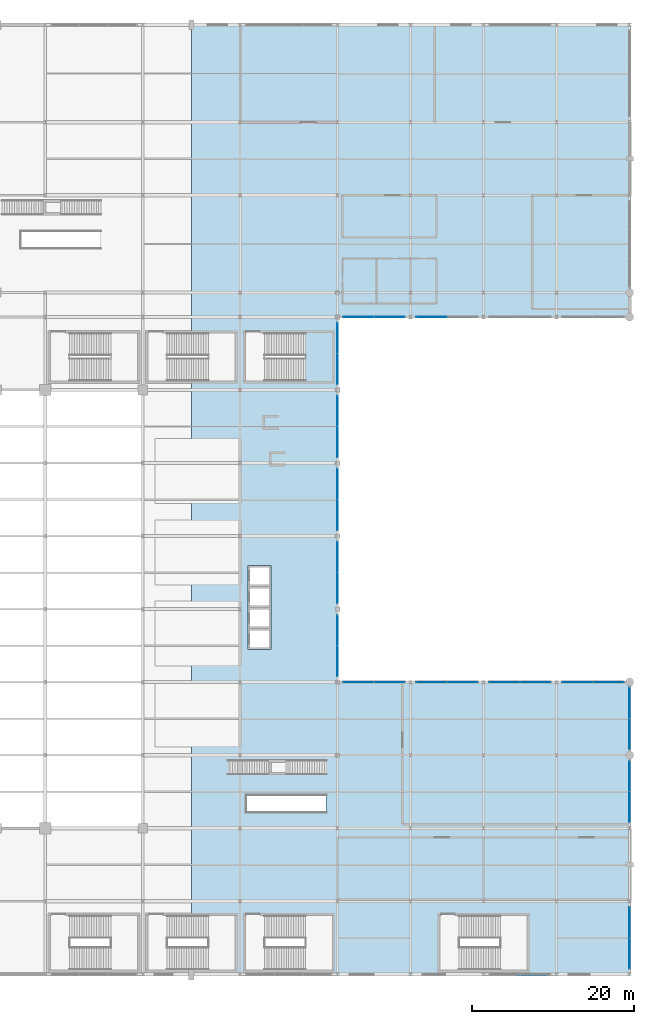
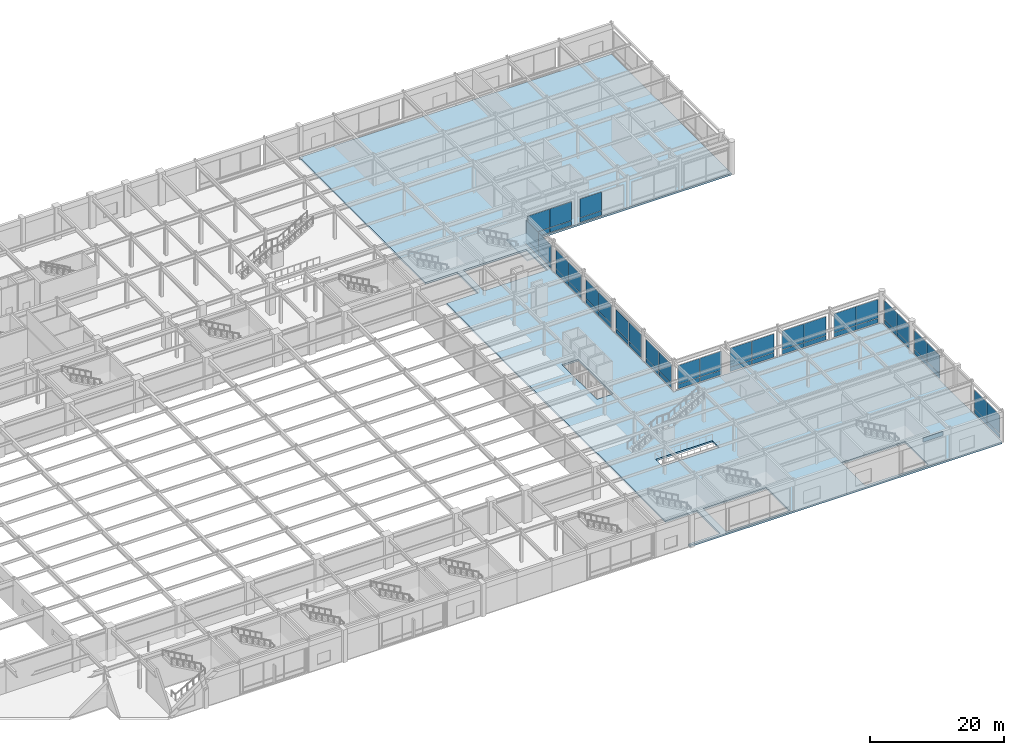
# One storey, part 81 of 105: 55 plates, 2 slabs, 15 elements without a shape of their own.
"""IFC4 building model written with IfcOpenShell, lengths in metres."""

from ifc_helpers import new_model, si_unit, direction, frame, origin, origin_2d, place, context, subcontext, project, spatial, polyline, rectangle, outline, extrude, material, layer, layer_set, type_object, element, aggregate, save


model = new_model("IFC4")

# Units and contexts
model_context = context("Model", 3, precision=1e-05, world=origin(), true_north=direction((0.0, 1.0)))
body_context = subcontext(model_context, "Body", "Model", "MODEL_VIEW")
ifc_project = project(units=[si_unit("LENGTHUNIT", "METRE"), si_unit("AREAUNIT", "SQUARE_METRE"), si_unit("VOLUMEUNIT", "CUBIC_METRE"), si_unit("PLANEANGLEUNIT", "RADIAN"), si_unit("MASSUNIT", "GRAM", prefix="KILO")], contexts=[model_context])

# Site, building, storey
site_placement = place(None, origin())
site = spatial("IfcSite", under=ifc_project, at=site_placement, CompositionType="ELEMENT")
building_placement = place(site_placement, origin())
building = spatial("IfcBuilding", under=site, at=building_placement, Name="Kaldorvane Square Convention Centre", CompositionType="ELEMENT")
storey_placement = place(building_placement, frame((0.0, 0.0, 6.0)))
storey = spatial("IfcBuildingStorey", under=building, at=storey_placement, Name="L01", CompositionType="ELEMENT", Elevation=6.0)

# Curtain wall, plates
ifc_material_1 = material(Name="Anodized Aluminum and Low-E Insulated Glazing", Category="aluminium")
curtain_wall_type_1 = type_object("IfcCurtainWallType", Name="CW-UNI-P60-09", PredefinedType="USERDEFINED", material=ifc_material_1)
curtain_wall_1_placement = place(storey_placement, origin())
curtain_wall_1 = element("IfcCurtainWall", 1, at=curtain_wall_1_placement, inside=storey, type_object=curtain_wall_type_1, Name="Curtain Wall CW-02 (L01)", ObjectType="UNITISED GLAZING", PredefinedType="USERDEFINED")
ifc_layer_1 = layer(ifc_material_1, 0.029998779296875)
ifc_layer_set_1 = layer_set([ifc_layer_1], Name="Anodized Aluminum and Low-E Insulated Glazing")
plate_type_1 = type_object("IfcPlateType", Name="CW-PNL-05", PredefinedType="CURTAIN_PANEL", material=ifc_layer_set_1)
plate_1_placement = place(storey_placement, frame((174.0, 2.59124755859375, 0.2100067138671875), z_axis=(0.0, 0.0, 1.0), x_axis=(0.0, 1.0, 0.0)))
plate_1 = element("IfcPlate", 2, at=plate_1_placement, type_object=plate_type_1, Name="CW-02 panel 1.1", PredefinedType="CURTAIN_PANEL", context=body_context, shape_type="SweptSolid", body=[
    extrude(rectangle(XDim=3.75250244140625, YDim=0.029998779296875, at=origin_2d()), origin(), (0.0, 0.0, 1.0), 0.80999755859375),
])
plate_2_placement = place(storey_placement, frame((174.0, 2.59124755859375, 1.079986572265625), z_axis=(0.0, 0.0, 1.0), x_axis=(0.0, 1.0, 0.0)))
plate_2 = element("IfcPlate", 3, at=plate_2_placement, type_object=plate_type_1, Name="CW-02 panel 1.2", PredefinedType="CURTAIN_PANEL", context=body_context, shape_type="SweptSolid", body=[
    extrude(rectangle(XDim=3.75250244140625, YDim=0.029998779296875, at=origin_2d()), origin(), (0.0, 0.0, 1.0), 3.4199981689453125),
])
plate_3_placement = place(storey_placement, frame((174.0, 6.40875244140625, 0.2100067138671875), z_axis=(0.0, 0.0, 1.0), x_axis=(0.0, 1.0, 0.0)))
plate_3 = element("IfcPlate", 4, at=plate_3_placement, type_object=plate_type_1, Name="CW-02 panel 2.1", PredefinedType="CURTAIN_PANEL", context=body_context, shape_type="SweptSolid", body=[
    extrude(rectangle(XDim=3.75250244140625, YDim=0.029998779296875, at=origin_2d()), origin(), (0.0, 0.0, 1.0), 0.80999755859375),
])
plate_4_placement = place(storey_placement, frame((174.0, 6.40875244140625, 1.079986572265625), z_axis=(0.0, 0.0, 1.0), x_axis=(0.0, 1.0, 0.0)))
plate_4 = element("IfcPlate", 5, at=plate_4_placement, type_object=plate_type_1, Name="CW-02 panel 2.2", PredefinedType="CURTAIN_PANEL", context=body_context, shape_type="SweptSolid", body=[
    extrude(rectangle(XDim=3.75250244140625, YDim=0.029998779296875, at=origin_2d()), origin(), (0.0, 0.0, 1.0), 3.4199981689453125),
])
aggregate(curtain_wall_1, [plate_1, plate_2, plate_3, plate_4])

curtain_wall_2_placement = place(storey_placement, origin())
curtain_wall_2 = element("IfcCurtainWall", 6, at=curtain_wall_2_placement, inside=storey, type_object=curtain_wall_type_1, Name="Curtain Wall CW-02 (L01)", ObjectType="UNITISED GLAZING", PredefinedType="USERDEFINED")
plate_5_placement = place(storey_placement, frame((174.0, 20.59124755859375, 0.2100067138671875), z_axis=(0.0, 0.0, 1.0), x_axis=(0.0, 1.0, 0.0)))
plate_5 = element("IfcPlate", 7, at=plate_5_placement, type_object=plate_type_1, Name="CW-02 panel 1.1", PredefinedType="CURTAIN_PANEL", context=body_context, shape_type="SweptSolid", body=[
    extrude(rectangle(XDim=3.75250244140625, YDim=0.029998779296875, at=origin_2d()), origin(), (0.0, 0.0, 1.0), 0.80999755859375),
])
plate_6_placement = place(storey_placement, frame((174.0, 20.59124755859375, 1.079986572265625), z_axis=(0.0, 0.0, 1.0), x_axis=(0.0, 1.0, 0.0)))
plate_6 = element("IfcPlate", 8, at=plate_6_placement, type_object=plate_type_1, Name="CW-02 panel 1.2", PredefinedType="CURTAIN_PANEL", context=body_context, shape_type="SweptSolid", body=[
    extrude(rectangle(XDim=3.75250244140625, YDim=0.029998779296875, at=origin_2d()), origin(), (0.0, 0.0, 1.0), 3.4199981689453125),
])
plate_7_placement = place(storey_placement, frame((174.0, 24.40875244140625, 0.2100067138671875), z_axis=(0.0, 0.0, 1.0), x_axis=(0.0, 1.0, 0.0)))
plate_7 = element("IfcPlate", 9, at=plate_7_placement, type_object=plate_type_1, Name="CW-02 panel 2.1", PredefinedType="CURTAIN_PANEL", context=body_context, shape_type="SweptSolid", body=[
    extrude(rectangle(XDim=3.75250244140625, YDim=0.029998779296875, at=origin_2d()), origin(), (0.0, 0.0, 1.0), 0.80999755859375),
])
plate_8_placement = place(storey_placement, frame((174.0, 24.40875244140625, 1.079986572265625), z_axis=(0.0, 0.0, 1.0), x_axis=(0.0, 1.0, 0.0)))
plate_8 = element("IfcPlate", 10, at=plate_8_placement, type_object=plate_type_1, Name="CW-02 panel 2.2", PredefinedType="CURTAIN_PANEL", context=body_context, shape_type="SweptSolid", body=[
    extrude(rectangle(XDim=3.75250244140625, YDim=0.029998779296875, at=origin_2d()), origin(), (0.0, 0.0, 1.0), 3.4199981689453125),
])
aggregate(curtain_wall_2, [plate_5, plate_6, plate_7, plate_8])

curtain_wall_3_placement = place(storey_placement, origin())
curtain_wall_3 = element("IfcCurtainWall", 11, at=curtain_wall_3_placement, inside=storey, type_object=curtain_wall_type_1, Name="Curtain Wall CW-02 (L01)", ObjectType="UNITISED GLAZING", PredefinedType="USERDEFINED")
plate_9_placement = place(storey_placement, frame((174.0, 29.59124755859375, 0.2100067138671875), z_axis=(0.0, 0.0, 1.0), x_axis=(0.0, 1.0, 0.0)))
plate_9 = element("IfcPlate", 12, at=plate_9_placement, type_object=plate_type_1, Name="CW-02 panel 1.1", PredefinedType="CURTAIN_PANEL", context=body_context, shape_type="SweptSolid", body=[
    extrude(rectangle(XDim=3.75250244140625, YDim=0.029998779296875, at=origin_2d()), origin(), (0.0, 0.0, 1.0), 0.80999755859375),
])
plate_10_placement = place(storey_placement, frame((174.0, 29.59124755859375, 1.079986572265625), z_axis=(0.0, 0.0, 1.0), x_axis=(0.0, 1.0, 0.0)))
plate_10 = element("IfcPlate", 13, at=plate_10_placement, type_object=plate_type_1, Name="CW-02 panel 1.2", PredefinedType="CURTAIN_PANEL", context=body_context, shape_type="SweptSolid", body=[
    extrude(rectangle(XDim=3.75250244140625, YDim=0.029998779296875, at=origin_2d()), origin(), (0.0, 0.0, 1.0), 3.4199981689453125),
])
plate_11_placement = place(storey_placement, frame((174.0, 33.40875244140625, 0.2100067138671875), z_axis=(0.0, 0.0, 1.0), x_axis=(0.0, 1.0, 0.0)))
plate_11 = element("IfcPlate", 14, at=plate_11_placement, type_object=plate_type_1, Name="CW-02 panel 2.1", PredefinedType="CURTAIN_PANEL", context=body_context, shape_type="SweptSolid", body=[
    extrude(rectangle(XDim=3.75250244140625, YDim=0.029998779296875, at=origin_2d()), origin(), (0.0, 0.0, 1.0), 0.80999755859375),
])
plate_12_placement = place(storey_placement, frame((174.0, 33.40875244140625, 1.079986572265625), z_axis=(0.0, 0.0, 1.0), x_axis=(0.0, 1.0, 0.0)))
plate_12 = element("IfcPlate", 15, at=plate_12_placement, type_object=plate_type_1, Name="CW-02 panel 2.2", PredefinedType="CURTAIN_PANEL", context=body_context, shape_type="SweptSolid", body=[
    extrude(rectangle(XDim=3.75250244140625, YDim=0.029998779296875, at=origin_2d()), origin(), (0.0, 0.0, 1.0), 3.4199981689453125),
])
aggregate(curtain_wall_3, [plate_9, plate_10, plate_11, plate_12])

curtain_wall_type_2 = type_object("IfcCurtainWallType", Name="CW-PTS-FC-60", PredefinedType="USERDEFINED", material=ifc_material_1)
curtain_wall_4_placement = place(storey_placement, origin())
curtain_wall_4 = element("IfcCurtainWall", 16, at=curtain_wall_4_placement, inside=storey, type_object=curtain_wall_type_2, Name="Curtain Wall CW-07 (L01)", ObjectType="POINT SUPPORTED GLAZING", PredefinedType="USERDEFINED")
ifc_layer_2 = layer(ifc_material_1, 0.0399932861328125)
ifc_layer_set_2 = layer_set([ifc_layer_2], Name="Anodized Aluminum and Low-E Insulated Glazing")
plate_type_2 = type_object("IfcPlateType", Name="CW-PNL-07", PredefinedType="CURTAIN_PANEL", material=ifc_layer_set_2)
plate_13_placement = place(storey_placement, frame((144.40625, 36.0, 0.214996337890625), z_axis=(0.0, 0.0, 1.0), x_axis=(-1.0, 0.0, 0.0)))
plate_13 = element("IfcPlate", 17, at=plate_13_placement, type_object=plate_type_2, Name="CW-07 panel 1.1", PredefinedType="CURTAIN_PANEL", context=body_context, shape_type="SweptSolid", body=[
    extrude(rectangle(XDim=3.7375030517578125, YDim=0.0399932861328125, at=origin_2d()), origin(), (0.0, 0.0, 1.0), 0.8025054931640625),
])
plate_14_placement = place(storey_placement, frame((144.40625, 36.0, 1.0825042724609375), z_axis=(0.0, 0.0, 1.0), x_axis=(-1.0, 0.0, 0.0)))
plate_14 = element("IfcPlate", 18, at=plate_14_placement, type_object=plate_type_2, Name="CW-07 panel 1.2", PredefinedType="CURTAIN_PANEL", context=body_context, shape_type="SweptSolid", body=[
    extrude(rectangle(XDim=3.7375030517578125, YDim=0.0399932861328125, at=origin_2d()), origin(), (0.0, 0.0, 1.0), 3.412506103515625),
])
plate_15_placement = place(storey_placement, frame((140.59375, 36.0, 0.214996337890625), z_axis=(0.0, 0.0, 1.0), x_axis=(-1.0, 0.0, 0.0)))
plate_15 = element("IfcPlate", 19, at=plate_15_placement, type_object=plate_type_2, Name="CW-07 panel 2.1", PredefinedType="CURTAIN_PANEL", context=body_context, shape_type="SweptSolid", body=[
    extrude(rectangle(XDim=3.7375030517578125, YDim=0.0399932861328125, at=origin_2d()), origin(), (0.0, 0.0, 1.0), 0.8025054931640625),
])
plate_16_placement = place(storey_placement, frame((140.59375, 36.0, 1.0825042724609375), z_axis=(0.0, 0.0, 1.0), x_axis=(-1.0, 0.0, 0.0)))
plate_16 = element("IfcPlate", 20, at=plate_16_placement, type_object=plate_type_2, Name="CW-07 panel 2.2", PredefinedType="CURTAIN_PANEL", context=body_context, shape_type="SweptSolid", body=[
    extrude(rectangle(XDim=3.7375030517578125, YDim=0.0399932861328125, at=origin_2d()), origin(), (0.0, 0.0, 1.0), 3.412506103515625),
])
aggregate(curtain_wall_4, [plate_13, plate_14, plate_15, plate_16])

curtain_wall_5_placement = place(storey_placement, origin())
curtain_wall_5 = element("IfcCurtainWall", 21, at=curtain_wall_5_placement, inside=storey, type_object=curtain_wall_type_2, Name="Curtain Wall CW-07 (L01)", ObjectType="POINT SUPPORTED GLAZING", PredefinedType="USERDEFINED")
plate_17_placement = place(storey_placement, frame((153.40625, 36.0, 0.214996337890625), z_axis=(0.0, 0.0, 1.0), x_axis=(-1.0, 0.0, 0.0)))
plate_17 = element("IfcPlate", 22, at=plate_17_placement, type_object=plate_type_2, Name="CW-07 panel 1.1", PredefinedType="CURTAIN_PANEL", context=body_context, shape_type="SweptSolid", body=[
    extrude(rectangle(XDim=3.7375030517578125, YDim=0.0399932861328125, at=origin_2d()), origin(), (0.0, 0.0, 1.0), 0.8025054931640625),
])
plate_18_placement = place(storey_placement, frame((153.40625, 36.0, 1.0825042724609375), z_axis=(0.0, 0.0, 1.0), x_axis=(-1.0, 0.0, 0.0)))
plate_18 = element("IfcPlate", 23, at=plate_18_placement, type_object=plate_type_2, Name="CW-07 panel 1.2", PredefinedType="CURTAIN_PANEL", context=body_context, shape_type="SweptSolid", body=[
    extrude(rectangle(XDim=3.7375030517578125, YDim=0.0399932861328125, at=origin_2d()), origin(), (0.0, 0.0, 1.0), 3.412506103515625),
])
plate_19_placement = place(storey_placement, frame((149.59375, 36.0, 0.214996337890625), z_axis=(0.0, 0.0, 1.0), x_axis=(-1.0, 0.0, 0.0)))
plate_19 = element("IfcPlate", 24, at=plate_19_placement, type_object=plate_type_2, Name="CW-07 panel 2.1", PredefinedType="CURTAIN_PANEL", context=body_context, shape_type="SweptSolid", body=[
    extrude(rectangle(XDim=3.7375030517578125, YDim=0.0399932861328125, at=origin_2d()), origin(), (0.0, 0.0, 1.0), 0.8025054931640625),
])
plate_20_placement = place(storey_placement, frame((149.59375, 36.0, 1.0825042724609375), z_axis=(0.0, 0.0, 1.0), x_axis=(-1.0, 0.0, 0.0)))
plate_20 = element("IfcPlate", 25, at=plate_20_placement, type_object=plate_type_2, Name="CW-07 panel 2.2", PredefinedType="CURTAIN_PANEL", context=body_context, shape_type="SweptSolid", body=[
    extrude(rectangle(XDim=3.7375030517578125, YDim=0.0399932861328125, at=origin_2d()), origin(), (0.0, 0.0, 1.0), 3.412506103515625),
])
aggregate(curtain_wall_5, [plate_17, plate_18, plate_19, plate_20])

curtain_wall_6_placement = place(storey_placement, origin())
curtain_wall_6 = element("IfcCurtainWall", 26, at=curtain_wall_6_placement, inside=storey, type_object=curtain_wall_type_2, Name="Curtain Wall CW-07 (L01)", ObjectType="POINT SUPPORTED GLAZING", PredefinedType="USERDEFINED")
plate_21_placement = place(storey_placement, frame((162.40625, 36.0, 0.214996337890625), z_axis=(0.0, 0.0, 1.0), x_axis=(-1.0, 0.0, 0.0)))
plate_21 = element("IfcPlate", 27, at=plate_21_placement, type_object=plate_type_2, Name="CW-07 panel 1.1", PredefinedType="CURTAIN_PANEL", context=body_context, shape_type="SweptSolid", body=[
    extrude(rectangle(XDim=3.7375030517578125, YDim=0.0399932861328125, at=origin_2d()), origin(), (0.0, 0.0, 1.0), 0.8025054931640625),
])
plate_22_placement = place(storey_placement, frame((162.40625, 36.0, 1.0825042724609375), z_axis=(0.0, 0.0, 1.0), x_axis=(-1.0, 0.0, 0.0)))
plate_22 = element("IfcPlate", 28, at=plate_22_placement, type_object=plate_type_2, Name="CW-07 panel 1.2", PredefinedType="CURTAIN_PANEL", context=body_context, shape_type="SweptSolid", body=[
    extrude(rectangle(XDim=3.7375030517578125, YDim=0.0399932861328125, at=origin_2d()), origin(), (0.0, 0.0, 1.0), 3.412506103515625),
])
plate_23_placement = place(storey_placement, frame((158.59375, 36.0, 0.214996337890625), z_axis=(0.0, 0.0, 1.0), x_axis=(-1.0, 0.0, 0.0)))
plate_23 = element("IfcPlate", 29, at=plate_23_placement, type_object=plate_type_2, Name="CW-07 panel 2.1", PredefinedType="CURTAIN_PANEL", context=body_context, shape_type="SweptSolid", body=[
    extrude(rectangle(XDim=3.7375030517578125, YDim=0.0399932861328125, at=origin_2d()), origin(), (0.0, 0.0, 1.0), 0.8025054931640625),
])
plate_24_placement = place(storey_placement, frame((158.59375, 36.0, 1.0825042724609375), z_axis=(0.0, 0.0, 1.0), x_axis=(-1.0, 0.0, 0.0)))
plate_24 = element("IfcPlate", 30, at=plate_24_placement, type_object=plate_type_2, Name="CW-07 panel 2.2", PredefinedType="CURTAIN_PANEL", context=body_context, shape_type="SweptSolid", body=[
    extrude(rectangle(XDim=3.7375030517578125, YDim=0.0399932861328125, at=origin_2d()), origin(), (0.0, 0.0, 1.0), 3.412506103515625),
])
aggregate(curtain_wall_6, [plate_21, plate_22, plate_23, plate_24])

curtain_wall_7_placement = place(storey_placement, origin())
curtain_wall_7 = element("IfcCurtainWall", 31, at=curtain_wall_7_placement, inside=storey, type_object=curtain_wall_type_2, Name="Curtain Wall CW-07 (L01)", ObjectType="POINT SUPPORTED GLAZING", PredefinedType="USERDEFINED")
plate_25_placement = place(storey_placement, frame((171.40625, 36.0, 0.214996337890625), z_axis=(0.0, 0.0, 1.0), x_axis=(-1.0, 0.0, 0.0)))
plate_25 = element("IfcPlate", 32, at=plate_25_placement, type_object=plate_type_2, Name="CW-07 panel 1.1", PredefinedType="CURTAIN_PANEL", context=body_context, shape_type="SweptSolid", body=[
    extrude(rectangle(XDim=3.7375030517578125, YDim=0.0399932861328125, at=origin_2d()), origin(), (0.0, 0.0, 1.0), 0.8025054931640625),
])
plate_26_placement = place(storey_placement, frame((171.40625, 36.0, 1.0825042724609375), z_axis=(0.0, 0.0, 1.0), x_axis=(-1.0, 0.0, 0.0)))
plate_26 = element("IfcPlate", 33, at=plate_26_placement, type_object=plate_type_2, Name="CW-07 panel 1.2", PredefinedType="CURTAIN_PANEL", context=body_context, shape_type="SweptSolid", body=[
    extrude(rectangle(XDim=3.7375030517578125, YDim=0.0399932861328125, at=origin_2d()), origin(), (0.0, 0.0, 1.0), 3.412506103515625),
])
plate_27_placement = place(storey_placement, frame((167.59375, 36.0, 0.214996337890625), z_axis=(0.0, 0.0, 1.0), x_axis=(-1.0, 0.0, 0.0)))
plate_27 = element("IfcPlate", 34, at=plate_27_placement, type_object=plate_type_2, Name="CW-07 panel 2.1", PredefinedType="CURTAIN_PANEL", context=body_context, shape_type="SweptSolid", body=[
    extrude(rectangle(XDim=3.7375030517578125, YDim=0.0399932861328125, at=origin_2d()), origin(), (0.0, 0.0, 1.0), 0.8025054931640625),
])
plate_28_placement = place(storey_placement, frame((167.59375, 36.0, 1.0825042724609375), z_axis=(0.0, 0.0, 1.0), x_axis=(-1.0, 0.0, 0.0)))
plate_28 = element("IfcPlate", 35, at=plate_28_placement, type_object=plate_type_2, Name="CW-07 panel 2.2", PredefinedType="CURTAIN_PANEL", context=body_context, shape_type="SweptSolid", body=[
    extrude(rectangle(XDim=3.7375030517578125, YDim=0.0399932861328125, at=origin_2d()), origin(), (0.0, 0.0, 1.0), 3.412506103515625),
])
aggregate(curtain_wall_7, [plate_25, plate_26, plate_27, plate_28])

curtain_wall_8_placement = place(storey_placement, origin())
curtain_wall_8 = element("IfcCurtainWall", 36, at=curtain_wall_8_placement, inside=storey, type_object=curtain_wall_type_2, Name="Curtain Wall CW-07 (L01)", ObjectType="POINT SUPPORTED GLAZING", PredefinedType="USERDEFINED")
plate_29_placement = place(storey_placement, frame((138.0, 38.59375, 0.214996337890625), z_axis=(0.0, 0.0, 1.0), x_axis=(0.0, 1.0, 0.0)))
plate_29 = element("IfcPlate", 37, at=plate_29_placement, type_object=plate_type_2, Name="CW-07 panel 1.1", PredefinedType="CURTAIN_PANEL", context=body_context, shape_type="SweptSolid", body=[
    extrude(rectangle(XDim=3.7375030517578125, YDim=0.0399932861328125, at=origin_2d()), origin(), (0.0, 0.0, 1.0), 0.8025054931640625),
])
plate_30_placement = place(storey_placement, frame((138.0, 38.59375, 1.0825042724609375), z_axis=(0.0, 0.0, 1.0), x_axis=(0.0, 1.0, 0.0)))
plate_30 = element("IfcPlate", 38, at=plate_30_placement, type_object=plate_type_2, Name="CW-07 panel 1.2", PredefinedType="CURTAIN_PANEL", context=body_context, shape_type="SweptSolid", body=[
    extrude(rectangle(XDim=3.7375030517578125, YDim=0.0399932861328125, at=origin_2d()), origin(), (0.0, 0.0, 1.0), 3.412506103515625),
])
plate_31_placement = place(storey_placement, frame((138.0, 42.40625, 0.214996337890625), z_axis=(0.0, 0.0, 1.0), x_axis=(0.0, 1.0, 0.0)))
plate_31 = element("IfcPlate", 39, at=plate_31_placement, type_object=plate_type_2, Name="CW-07 panel 2.1", PredefinedType="CURTAIN_PANEL", context=body_context, shape_type="SweptSolid", body=[
    extrude(rectangle(XDim=3.7375030517578125, YDim=0.0399932861328125, at=origin_2d()), origin(), (0.0, 0.0, 1.0), 0.8025054931640625),
])
plate_32_placement = place(storey_placement, frame((138.0, 42.40625, 1.0825042724609375), z_axis=(0.0, 0.0, 1.0), x_axis=(0.0, 1.0, 0.0)))
plate_32 = element("IfcPlate", 40, at=plate_32_placement, type_object=plate_type_2, Name="CW-07 panel 2.2", PredefinedType="CURTAIN_PANEL", context=body_context, shape_type="SweptSolid", body=[
    extrude(rectangle(XDim=3.7375030517578125, YDim=0.0399932861328125, at=origin_2d()), origin(), (0.0, 0.0, 1.0), 3.412506103515625),
])
aggregate(curtain_wall_8, [plate_29, plate_30, plate_31, plate_32])

curtain_wall_9_placement = place(storey_placement, origin())
curtain_wall_9 = element("IfcCurtainWall", 41, at=curtain_wall_9_placement, inside=storey, type_object=curtain_wall_type_2, Name="Curtain Wall CW-07 (L01)", ObjectType="POINT SUPPORTED GLAZING", PredefinedType="USERDEFINED")
plate_33_placement = place(storey_placement, frame((138.0, 47.59375, 0.214996337890625), z_axis=(0.0, 0.0, 1.0), x_axis=(0.0, 1.0, 0.0)))
plate_33 = element("IfcPlate", 42, at=plate_33_placement, type_object=plate_type_2, Name="CW-07 panel 1.1", PredefinedType="CURTAIN_PANEL", context=body_context, shape_type="SweptSolid", body=[
    extrude(rectangle(XDim=3.7375030517578125, YDim=0.0399932861328125, at=origin_2d()), origin(), (0.0, 0.0, 1.0), 0.8025054931640625),
])
plate_34_placement = place(storey_placement, frame((138.0, 47.59375, 1.0825042724609375), z_axis=(0.0, 0.0, 1.0), x_axis=(0.0, 1.0, 0.0)))
plate_34 = element("IfcPlate", 43, at=plate_34_placement, type_object=plate_type_2, Name="CW-07 panel 1.2", PredefinedType="CURTAIN_PANEL", context=body_context, shape_type="SweptSolid", body=[
    extrude(rectangle(XDim=3.7375030517578125, YDim=0.0399932861328125, at=origin_2d()), origin(), (0.0, 0.0, 1.0), 3.412506103515625),
])
plate_35_placement = place(storey_placement, frame((138.0, 51.40625, 0.214996337890625), z_axis=(0.0, 0.0, 1.0), x_axis=(0.0, 1.0, 0.0)))
plate_35 = element("IfcPlate", 44, at=plate_35_placement, type_object=plate_type_2, Name="CW-07 panel 2.1", PredefinedType="CURTAIN_PANEL", context=body_context, shape_type="SweptSolid", body=[
    extrude(rectangle(XDim=3.7375030517578125, YDim=0.0399932861328125, at=origin_2d()), origin(), (0.0, 0.0, 1.0), 0.8025054931640625),
])
plate_36_placement = place(storey_placement, frame((138.0, 51.40625, 1.0825042724609375), z_axis=(0.0, 0.0, 1.0), x_axis=(0.0, 1.0, 0.0)))
plate_36 = element("IfcPlate", 45, at=plate_36_placement, type_object=plate_type_2, Name="CW-07 panel 2.2", PredefinedType="CURTAIN_PANEL", context=body_context, shape_type="SweptSolid", body=[
    extrude(rectangle(XDim=3.7375030517578125, YDim=0.0399932861328125, at=origin_2d()), origin(), (0.0, 0.0, 1.0), 3.412506103515625),
])
aggregate(curtain_wall_9, [plate_33, plate_34, plate_35, plate_36])

curtain_wall_10_placement = place(storey_placement, origin())
curtain_wall_10 = element("IfcCurtainWall", 46, at=curtain_wall_10_placement, inside=storey, type_object=curtain_wall_type_2, Name="Curtain Wall CW-07 (L01)", ObjectType="POINT SUPPORTED GLAZING", PredefinedType="USERDEFINED")
plate_37_placement = place(storey_placement, frame((138.0, 56.59375, 0.214996337890625), z_axis=(0.0, 0.0, 1.0), x_axis=(0.0, 1.0, 0.0)))
plate_37 = element("IfcPlate", 47, at=plate_37_placement, type_object=plate_type_2, Name="CW-07 panel 1.1", PredefinedType="CURTAIN_PANEL", context=body_context, shape_type="SweptSolid", body=[
    extrude(rectangle(XDim=3.7375030517578125, YDim=0.0399932861328125, at=origin_2d()), origin(), (0.0, 0.0, 1.0), 0.8025054931640625),
])
plate_38_placement = place(storey_placement, frame((138.0, 56.59375, 1.0825042724609375), z_axis=(0.0, 0.0, 1.0), x_axis=(0.0, 1.0, 0.0)))
plate_38 = element("IfcPlate", 48, at=plate_38_placement, type_object=plate_type_2, Name="CW-07 panel 1.2", PredefinedType="CURTAIN_PANEL", context=body_context, shape_type="SweptSolid", body=[
    extrude(rectangle(XDim=3.7375030517578125, YDim=0.0399932861328125, at=origin_2d()), origin(), (0.0, 0.0, 1.0), 3.412506103515625),
])
plate_39_placement = place(storey_placement, frame((138.0, 60.40625, 0.214996337890625), z_axis=(0.0, 0.0, 1.0), x_axis=(0.0, 1.0, 0.0)))
plate_39 = element("IfcPlate", 49, at=plate_39_placement, type_object=plate_type_2, Name="CW-07 panel 2.1", PredefinedType="CURTAIN_PANEL", context=body_context, shape_type="SweptSolid", body=[
    extrude(rectangle(XDim=3.7375030517578125, YDim=0.0399932861328125, at=origin_2d()), origin(), (0.0, 0.0, 1.0), 0.8025054931640625),
])
plate_40_placement = place(storey_placement, frame((138.0, 60.40625, 1.0825042724609375), z_axis=(0.0, 0.0, 1.0), x_axis=(0.0, 1.0, 0.0)))
plate_40 = element("IfcPlate", 50, at=plate_40_placement, type_object=plate_type_2, Name="CW-07 panel 2.2", PredefinedType="CURTAIN_PANEL", context=body_context, shape_type="SweptSolid", body=[
    extrude(rectangle(XDim=3.7375030517578125, YDim=0.0399932861328125, at=origin_2d()), origin(), (0.0, 0.0, 1.0), 3.412506103515625),
])
aggregate(curtain_wall_10, [plate_37, plate_38, plate_39, plate_40])

curtain_wall_11_placement = place(storey_placement, origin())
curtain_wall_11 = element("IfcCurtainWall", 51, at=curtain_wall_11_placement, inside=storey, type_object=curtain_wall_type_2, Name="Curtain Wall CW-07 (L01)", ObjectType="POINT SUPPORTED GLAZING", PredefinedType="USERDEFINED")
plate_41_placement = place(storey_placement, frame((138.0, 65.59375, 0.214996337890625), z_axis=(0.0, 0.0, 1.0), x_axis=(0.0, 1.0, 0.0)))
plate_41 = element("IfcPlate", 52, at=plate_41_placement, type_object=plate_type_2, Name="CW-07 panel 1.1", PredefinedType="CURTAIN_PANEL", context=body_context, shape_type="SweptSolid", body=[
    extrude(rectangle(XDim=3.7375030517578125, YDim=0.0399932861328125, at=origin_2d()), origin(), (0.0, 0.0, 1.0), 0.8025054931640625),
])
plate_42_placement = place(storey_placement, frame((138.0, 65.59375, 1.0825042724609375), z_axis=(0.0, 0.0, 1.0), x_axis=(0.0, 1.0, 0.0)))
plate_42 = element("IfcPlate", 53, at=plate_42_placement, type_object=plate_type_2, Name="CW-07 panel 1.2", PredefinedType="CURTAIN_PANEL", context=body_context, shape_type="SweptSolid", body=[
    extrude(rectangle(XDim=3.7375030517578125, YDim=0.0399932861328125, at=origin_2d()), origin(), (0.0, 0.0, 1.0), 3.412506103515625),
])
plate_43_placement = place(storey_placement, frame((138.0, 69.40625, 0.214996337890625), z_axis=(0.0, 0.0, 1.0), x_axis=(0.0, 1.0, 0.0)))
plate_43 = element("IfcPlate", 54, at=plate_43_placement, type_object=plate_type_2, Name="CW-07 panel 2.1", PredefinedType="CURTAIN_PANEL", context=body_context, shape_type="SweptSolid", body=[
    extrude(rectangle(XDim=3.7375030517578125, YDim=0.0399932861328125, at=origin_2d()), origin(), (0.0, 0.0, 1.0), 0.8025054931640625),
])
plate_44_placement = place(storey_placement, frame((138.0, 69.40625, 1.0825042724609375), z_axis=(0.0, 0.0, 1.0), x_axis=(0.0, 1.0, 0.0)))
plate_44 = element("IfcPlate", 55, at=plate_44_placement, type_object=plate_type_2, Name="CW-07 panel 2.2", PredefinedType="CURTAIN_PANEL", context=body_context, shape_type="SweptSolid", body=[
    extrude(rectangle(XDim=3.7375030517578125, YDim=0.0399932861328125, at=origin_2d()), origin(), (0.0, 0.0, 1.0), 3.412506103515625),
])
aggregate(curtain_wall_11, [plate_41, plate_42, plate_43, plate_44])

curtain_wall_12_placement = place(storey_placement, origin())
curtain_wall_12 = element("IfcCurtainWall", 56, at=curtain_wall_12_placement, inside=storey, type_object=curtain_wall_type_2, Name="Curtain Wall CW-07 (L01)", ObjectType="POINT SUPPORTED GLAZING", PredefinedType="USERDEFINED")
plate_45_placement = place(storey_placement, frame((138.0, 74.59375, 0.214996337890625), z_axis=(0.0, 0.0, 1.0), x_axis=(0.0, 1.0, 0.0)))
plate_45 = element("IfcPlate", 57, at=plate_45_placement, type_object=plate_type_2, Name="CW-07 panel 1.1", PredefinedType="CURTAIN_PANEL", context=body_context, shape_type="SweptSolid", body=[
    extrude(rectangle(XDim=3.7375030517578125, YDim=0.0399932861328125, at=origin_2d()), origin(), (0.0, 0.0, 1.0), 0.8025054931640625),
])
plate_46_placement = place(storey_placement, frame((138.0, 74.59375, 1.0825042724609375), z_axis=(0.0, 0.0, 1.0), x_axis=(0.0, 1.0, 0.0)))
plate_46 = element("IfcPlate", 58, at=plate_46_placement, type_object=plate_type_2, Name="CW-07 panel 1.2", PredefinedType="CURTAIN_PANEL", context=body_context, shape_type="SweptSolid", body=[
    extrude(rectangle(XDim=3.7375030517578125, YDim=0.0399932861328125, at=origin_2d()), origin(), (0.0, 0.0, 1.0), 3.412506103515625),
])
plate_47_placement = place(storey_placement, frame((138.0, 78.40625, 0.214996337890625), z_axis=(0.0, 0.0, 1.0), x_axis=(0.0, 1.0, 0.0)))
plate_47 = element("IfcPlate", 59, at=plate_47_placement, type_object=plate_type_2, Name="CW-07 panel 2.1", PredefinedType="CURTAIN_PANEL", context=body_context, shape_type="SweptSolid", body=[
    extrude(rectangle(XDim=3.7375030517578125, YDim=0.0399932861328125, at=origin_2d()), origin(), (0.0, 0.0, 1.0), 0.8025054931640625),
])
plate_48_placement = place(storey_placement, frame((138.0, 78.40625, 1.0825042724609375), z_axis=(0.0, 0.0, 1.0), x_axis=(0.0, 1.0, 0.0)))
plate_48 = element("IfcPlate", 60, at=plate_48_placement, type_object=plate_type_2, Name="CW-07 panel 2.2", PredefinedType="CURTAIN_PANEL", context=body_context, shape_type="SweptSolid", body=[
    extrude(rectangle(XDim=3.7375030517578125, YDim=0.0399932861328125, at=origin_2d()), origin(), (0.0, 0.0, 1.0), 3.412506103515625),
])
aggregate(curtain_wall_12, [plate_45, plate_46, plate_47, plate_48])

curtain_wall_13_placement = place(storey_placement, origin())
curtain_wall_13 = element("IfcCurtainWall", 61, at=curtain_wall_13_placement, inside=storey, type_object=curtain_wall_type_2, Name="Curtain Wall CW-07 (L01)", ObjectType="POINT SUPPORTED GLAZING", PredefinedType="USERDEFINED")
plate_49_placement = place(storey_placement, frame((140.59375, 81.0, 0.214996337890625), z_axis=(0.0, 0.0, 1.0), x_axis=(1.0, 0.0, 0.0)))
plate_49 = element("IfcPlate", 62, at=plate_49_placement, type_object=plate_type_2, Name="CW-07 panel 1.1", PredefinedType="CURTAIN_PANEL", context=body_context, shape_type="SweptSolid", body=[
    extrude(rectangle(XDim=3.7375030517578125, YDim=0.0399932861328125, at=origin_2d()), origin(), (0.0, 0.0, 1.0), 0.8025054931640625),
])
plate_50_placement = place(storey_placement, frame((140.59375, 81.0, 1.0825042724609375), z_axis=(0.0, 0.0, 1.0), x_axis=(1.0, 0.0, 0.0)))
plate_50 = element("IfcPlate", 63, at=plate_50_placement, type_object=plate_type_2, Name="CW-07 panel 1.2", PredefinedType="CURTAIN_PANEL", context=body_context, shape_type="SweptSolid", body=[
    extrude(rectangle(XDim=3.7375030517578125, YDim=0.0399932861328125, at=origin_2d()), origin(), (0.0, 0.0, 1.0), 3.412506103515625),
])
plate_51_placement = place(storey_placement, frame((144.40625, 81.0, 0.214996337890625), z_axis=(0.0, 0.0, 1.0), x_axis=(1.0, 0.0, 0.0)))
plate_51 = element("IfcPlate", 64, at=plate_51_placement, type_object=plate_type_2, Name="CW-07 panel 2.1", PredefinedType="CURTAIN_PANEL", context=body_context, shape_type="SweptSolid", body=[
    extrude(rectangle(XDim=3.7375030517578125, YDim=0.0399932861328125, at=origin_2d()), origin(), (0.0, 0.0, 1.0), 0.8025054931640625),
])
plate_52_placement = place(storey_placement, frame((144.40625, 81.0, 1.0825042724609375), z_axis=(0.0, 0.0, 1.0), x_axis=(1.0, 0.0, 0.0)))
plate_52 = element("IfcPlate", 65, at=plate_52_placement, type_object=plate_type_2, Name="CW-07 panel 2.2", PredefinedType="CURTAIN_PANEL", context=body_context, shape_type="SweptSolid", body=[
    extrude(rectangle(XDim=3.7375030517578125, YDim=0.0399932861328125, at=origin_2d()), origin(), (0.0, 0.0, 1.0), 3.412506103515625),
])
aggregate(curtain_wall_13, [plate_49, plate_50, plate_51, plate_52])

curtain_wall_14_placement = place(storey_placement, origin())
curtain_wall_14 = element("IfcCurtainWall", 66, at=curtain_wall_14_placement, inside=storey, type_object=curtain_wall_type_2, Name="Curtain Wall CW-07 (L01)", ObjectType="POINT SUPPORTED GLAZING", PredefinedType="USERDEFINED")
plate_53_placement = place(storey_placement, frame((149.59375, 81.0, 0.214996337890625), z_axis=(0.0, 0.0, 1.0), x_axis=(1.0, 0.0, 0.0)))
plate_53 = element("IfcPlate", 67, at=plate_53_placement, type_object=plate_type_2, Name="CW-07 panel 1.1", PredefinedType="CURTAIN_PANEL", context=body_context, shape_type="SweptSolid", body=[
    extrude(rectangle(XDim=3.7375030517578125, YDim=0.0399932861328125, at=origin_2d()), origin(), (0.0, 0.0, 1.0), 0.8025054931640625),
])
plate_54_placement = place(storey_placement, frame((149.59375, 81.0, 1.0825042724609375), z_axis=(0.0, 0.0, 1.0), x_axis=(1.0, 0.0, 0.0)))
plate_54 = element("IfcPlate", 68, at=plate_54_placement, type_object=plate_type_2, Name="CW-07 panel 1.2", PredefinedType="CURTAIN_PANEL", context=body_context, shape_type="SweptSolid", body=[
    extrude(rectangle(XDim=3.7375030517578125, YDim=0.0399932861328125, at=origin_2d()), origin(), (0.0, 0.0, 1.0), 3.412506103515625),
])
aggregate(curtain_wall_14, [plate_53, plate_54])

# Plate
ifc_material_2 = material(Name="Concrete f'c = 42 MPa (Normalweight) Precast", Category="concrete")
ifc_layer_3 = layer(ifc_material_2, 0.052001953125)
ifc_layer_set_3 = layer_set([ifc_layer_3], Name="Concrete f'c = 42 MPa (Normalweight) Precast")
plate_type_3 = type_object("IfcPlateType", Name="PL-FASCIA-06", PredefinedType="USERDEFINED", material=ifc_layer_set_3)
plate_55_placement = place(storey_placement, frame((162.0, -0.0160064697265625, 4.7599945068359375), z_axis=(0.0, 0.0, 1.0), x_axis=(1.0, 0.0, 0.0)))
element("IfcPlate", 69, at=plate_55_placement, inside=storey, type_object=plate_type_3, Name="Precast Spandrel Fascia Plate (L01)", ObjectType="CLADDING", PredefinedType="USERDEFINED", context=body_context, shape_type="SweptSolid", body=[
    extrude(rectangle(XDim=3.399993896484375, YDim=0.052001953125, at=origin_2d()), origin(), (0.0, 0.0, 1.0), 0.779998779296875),
])

# Stair, slab
ifc_material_3 = material(Name="Concrete f'c = 42 MPa (Normalweight)", Category="concrete")
stair_type = type_object("IfcStairType", Name="ST-DL-2800-6000", PredefinedType="HALF_TURN_STAIR", material=ifc_material_3)
stair_placement = place(storey_placement, origin())
stair = element("IfcStair", 70, at=stair_placement, inside=storey, type_object=stair_type, Name="Convention Exit Stair C18 (L01)", PredefinedType="HALF_TURN_STAIR")
ifc_layer_4 = layer(ifc_material_3, 0.2400054931640625)
ifc_layer_set_4 = layer_set([ifc_layer_4], Name="Concrete f'c = 42 MPa (Normalweight)")
slab_type_1 = type_object("IfcSlabType", Name="SL-LAND-240", PredefinedType="LANDING", material=ifc_layer_set_4)
slab_1_placement = place(storey_placement, frame((0.0, 0.0, 2.7599945068359375)))
slab_1 = element("IfcSlab", 71, at=slab_1_placement, type_object=slab_type_1, Name="Convention Exit Stair C18 Half Landing (L01)", PredefinedType="LANDING", context=body_context, shape_type="SweptSolid", body=[
    extrude(outline(polyline([(134.00999450683594, 72.97999572753906), (137.47999572753906, 72.97999572753906), (137.47999572753906, 79.17999267578125), (134.00999450683594, 79.17999267578125), (134.00999450683594, 72.97999572753906)])), origin(), (0.0, 0.0, 1.0), 0.2400054931640625),
])
aggregate(stair, [slab_1])

# Slab
ifc_layer_5 = layer(ifc_material_3, 0.3249969482421875)
ifc_layer_set_5 = layer_set([ifc_layer_5], Name="Concrete f'c = 42 MPa (Normalweight)")
slab_type_2 = type_object("IfcSlabType", Name="SL-POD-280", PredefinedType="FLOOR", material=ifc_layer_set_5)
slab_2_placement = place(storey_placement, frame((0.0, 0.0, -0.32000732421875)))
element("IfcSlab", 72, at=slab_2_placement, inside=storey, type_object=slab_type_2, Name="Podium Composite Floor Slab L01-3", PredefinedType="FLOOR", context=body_context, shape_type="SweptSolid", body=[
    extrude(outline(polyline([(174.0, 117.0), (174.0, 81.0), (138.0, 81.0), (138.0, 36.0), (174.0, 36.0), (174.0, 0.0), (120.0, 0.0), (120.0, 0.42999267578125), (125.47999572753906, 0.42999267578125), (125.47999572753906, 7.3800048828125), (120.0, 7.3800048828125), (120.0, 72.97999572753906), (125.47999572753906, 72.97999572753906), (125.47999572753906, 79.17999267578125), (120.0, 79.17999267578125), (120.0, 117.0), (174.0, 117.0)]), holes=[polyline([(161.47999572753906, 0.42999267578125), (161.47999572753906, 7.3800048828125), (150.52000427246094, 7.3800048828125), (150.52000427246094, 0.42999267578125), (161.47999572753906, 0.42999267578125)]), polyline([(137.47999572753906, 0.42999267578125), (137.47999572753906, 7.3800048828125), (126.52000427246094, 7.3800048828125), (126.52000427246094, 0.42999267578125), (137.47999572753906, 0.42999267578125)]), polyline([(136.60000610351562, 20.0), (136.60000610351562, 22.0), (126.80000305175781, 22.0), (126.80000305175781, 20.0), (136.60000610351562, 20.0)]), polyline([(129.8000030517578, 45.19999694824219), (129.8000030517578, 47.80000305175781), (129.8000030517578, 50.399993896484375), (127.0, 50.399993896484375), (127.0, 47.80000305175781), (127.0, 45.19999694824219), (127.0, 42.600006103515625), (127.0, 40.0), (129.8000030517578, 40.0), (129.8000030517578, 42.600006103515625), (129.8000030517578, 45.19999694824219)]), polyline([(137.47999572753906, 72.97999572753906), (137.47999572753906, 79.17999267578125), (126.52000427246094, 79.17999267578125), (126.52000427246094, 72.97999572753906), (137.47999572753906, 72.97999572753906)])]), origin(), (0.0, 0.0, 1.0), 0.32000732421875),
])

save(model, "model.ifc")
